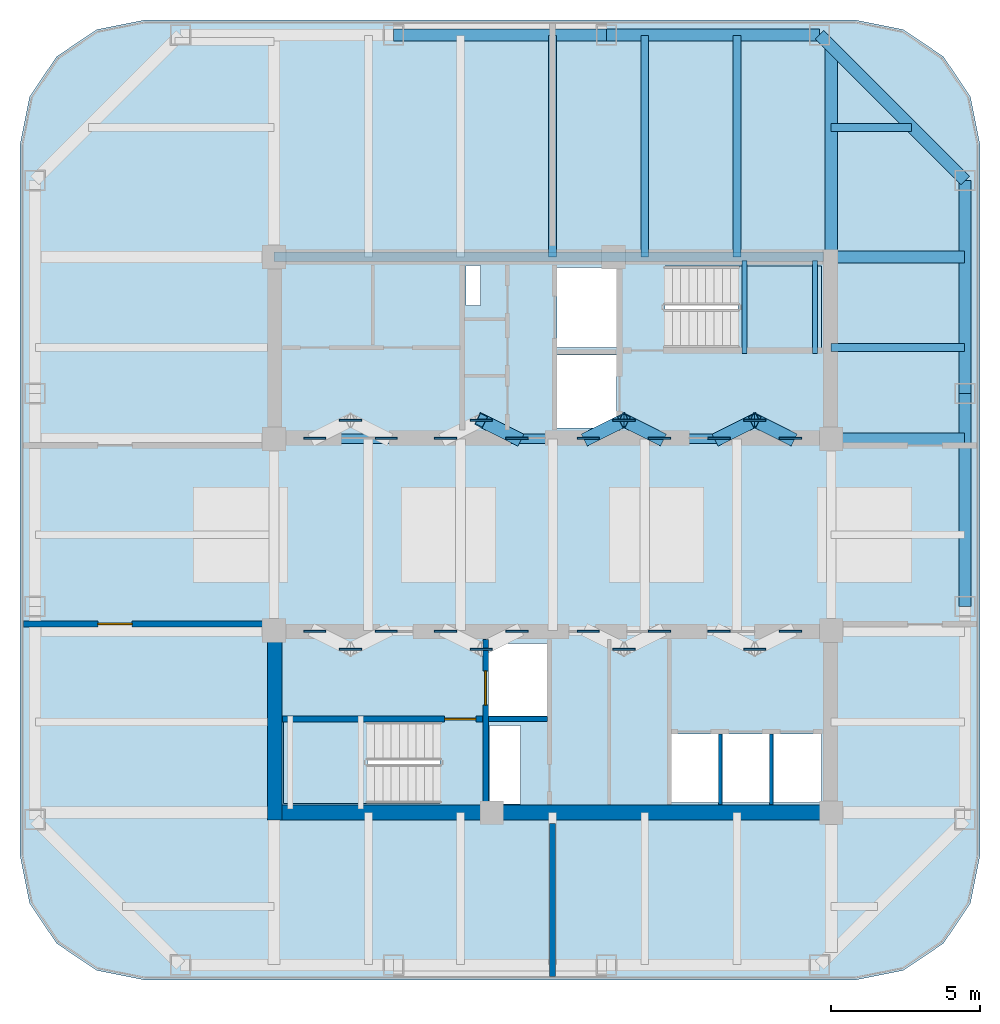
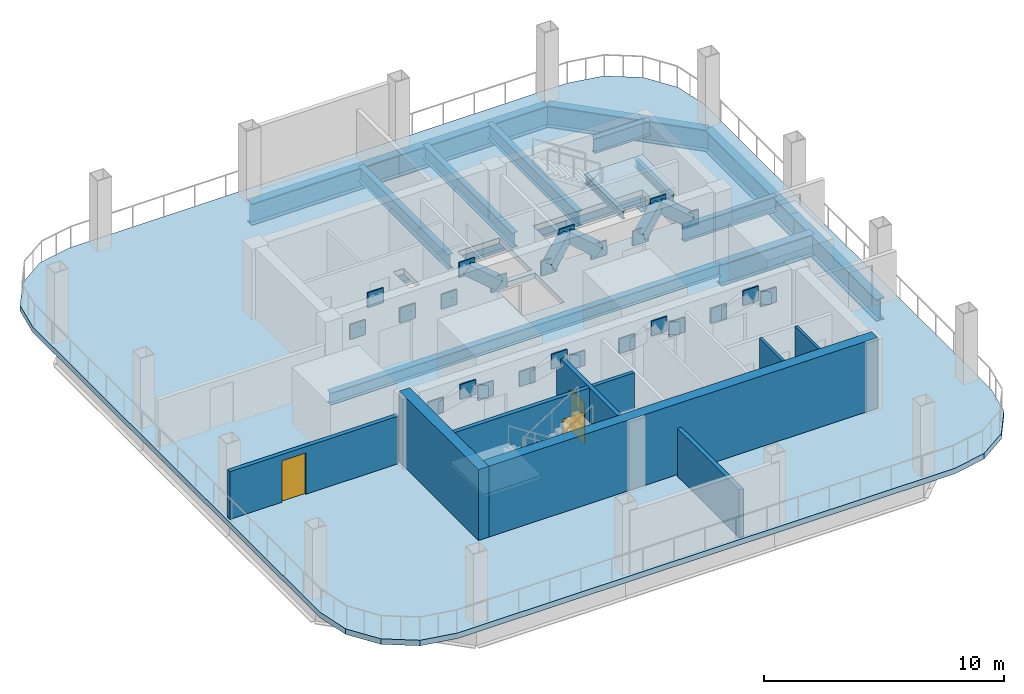
# One storey, part 2 of 9: 24 plates, 17 beams, 9 walls, 5 members, 3 doors, 3 slabs, 3 openings, 2 elements without a shape of their own.
"""IFC4 building model written with IfcOpenShell, lengths in metres."""

from ifc_helpers import new_model, si_unit, direction, frame, frame_2d, origin, origin_2d, place, context, subcontext, project, spatial, polyline, rectangle, hollow_rectangle, i_section, outline, extrude, material, layer, layer_set, material_profile, profile_set, type_object, element, fill, aggregate, save


model = new_model("IFC4")

# Units and contexts
model_context = context("Model", 3, precision=1e-05, world=origin(), true_north=direction((0.0, 1.0)))
body_context = subcontext(model_context, "Body", "Model", "MODEL_VIEW")
ifc_project = project(units=[si_unit("LENGTHUNIT", "METRE"), si_unit("AREAUNIT", "SQUARE_METRE"), si_unit("VOLUMEUNIT", "CUBIC_METRE"), si_unit("PLANEANGLEUNIT", "RADIAN"), si_unit("MASSUNIT", "GRAM", prefix="KILO")], contexts=[model_context])

# Site, building, storey
site_placement = place(None, origin())
site = spatial("IfcSite", under=ifc_project, at=site_placement, CompositionType="ELEMENT")
building_placement = place(site_placement, origin())
building = spatial("IfcBuilding", under=site, at=building_placement, Name="Qhalaya Broadcast Tower", CompositionType="ELEMENT")
storey_placement = place(building_placement, frame((0.0, 0.0, 191.550048828125)))
storey = spatial("IfcBuildingStorey", under=building, at=storey_placement, Name="L56", CompositionType="ELEMENT", Elevation=191.550048828125)

# Beams
ifc_material_1 = material(Name="Structural Steel ASTM A992 Grade 50", Category="steel")
ifc_material_profile_1 = material_profile(ifc_material_1, i_section(OverallWidth=0.323974609375, OverallDepth=0.612060546875, WebThickness=0.0126953125, FlangeThickness=0.01904296875, at=origin_2d()), Name="W24X104")
ifc_profile_set_1 = profile_set([ifc_material_profile_1], Name="Structural Steel ASTM A992 Grade 50")
beam_type_1 = type_object("IfcBeamType", Name="Core Frame Tie Beam B04", PredefinedType="BEAM", material=ifc_profile_set_1)
beam_1_placement = place(storey_placement, frame((-9.375, 3.824951171875, -0.5859375), z_axis=(1.0, 0.0, 0.0), x_axis=(0.0, 1.0, 0.0)))
element("IfcBeam", 1, at=beam_1_placement, inside=storey, type_object=beam_type_1, Name="L56 B04 L56-CCN1", PredefinedType="BEAM", context=body_context, shape_type="SweptSolid", body=[
    extrude(i_section(OverallWidth=0.323974609375, OverallDepth=0.612060546875, WebThickness=0.0126953125, FlangeThickness=0.01904296875, at=origin_2d()), origin(), (0.0, 0.0, 1.0), 18.75),
])
beam_2_placement = place(storey_placement, frame((-9.375, 9.949951171875, -0.5859375), z_axis=(1.0, 0.0, 0.0), x_axis=(0.0, 1.0, 0.0)))
element("IfcBeam", 2, at=beam_2_placement, inside=storey, type_object=beam_type_1, Name="L56 B04 L56-CCN3", PredefinedType="BEAM", context=body_context, shape_type="SweptSolid", body=[
    extrude(i_section(OverallWidth=0.323974609375, OverallDepth=0.612060546875, WebThickness=0.0126953125, FlangeThickness=0.01904296875, at=origin_2d()), origin(), (0.0, 0.0, 1.0), 18.4951171875),
])
ifc_material_profile_2 = material_profile(ifc_material_1, i_section(OverallWidth=0.26708984375, OverallDepth=0.761962890625, WebThickness=0.014404296875, FlangeThickness=0.021484375, at=origin_2d()), Name="W30X116")
ifc_profile_set_2 = profile_set([ifc_material_profile_2], Name="Structural Steel ASTM A992 Grade 50")
beam_type_2 = type_object("IfcBeamType", Name="Plant & Server Floor Beam B02", PredefinedType="BEAM", material=ifc_profile_set_2)
for number, where, z_axis, x_axis, name in (
    (3, (0.0, 9.949951171875, -0.6611328125), (0.0, 1.0, 0.0), (-1.0, 0.0, 0.0), "L56 B02 L56-JNN3-1"),
    (4, (3.10009765625, 9.949951171875, -0.6611328125), (0.0, 1.0, 0.0), (-1.0, 0.0, 0.0), "L56 B02 L56-JNN4-1"),
    (5, (6.199951171875, 9.949951171875, -0.6611328125), (0.0, 1.0, 0.0), (-1.0, 0.0, 0.0), "L56 B02 L56-JNN5-1"),
):
    element("IfcBeam", number, at=place(storey_placement, frame(where, z_axis=z_axis, x_axis=x_axis)), inside=storey, type_object=beam_type_2, Name=name, PredefinedType="BEAM", context=body_context, shape_type="SweptSolid", body=[
        extrude(i_section(OverallWidth=0.26708984375, OverallDepth=0.761962890625, WebThickness=0.014404296875, FlangeThickness=0.021484375, at=origin_2d()), origin(), (0.0, 0.0, 1.0), 7.449951171875),
    ])
beam_3_placement = place(storey_placement, frame((9.375, 6.89990234375, -0.6611328125), z_axis=(1.0, 0.0, 0.0), x_axis=(0.0, 1.0, 0.0)))
element("IfcBeam", 6, at=beam_3_placement, inside=storey, type_object=beam_type_2, Name="L56 B02 L56-JWE5E-1", PredefinedType="BEAM", context=body_context, shape_type="SweptSolid", body=[
    extrude(i_section(OverallWidth=0.26708984375, OverallDepth=0.761962890625, WebThickness=0.014404296875, FlangeThickness=0.021484375, at=origin_2d()), origin(), (0.0, 0.0, 1.0), 4.485107421875),
])
beam_4_placement = place(storey_placement, frame((9.375, 14.300048828125, -0.6611328125), z_axis=(1.0, 0.0, 0.0), x_axis=(0.0, 1.0, 0.0)))
element("IfcBeam", 7, at=beam_4_placement, inside=storey, type_object=beam_type_2, Name="L56 B02 L56-JWE6E-1", PredefinedType="BEAM", context=body_context, shape_type="SweptSolid", body=[
    extrude(i_section(OverallWidth=0.26708984375, OverallDepth=0.761962890625, WebThickness=0.014404296875, FlangeThickness=0.021484375, at=origin_2d()), origin(), (0.0, 0.0, 1.0), 2.69677734375),
])
ifc_material_profile_3 = material_profile(ifc_material_1, i_section(OverallWidth=0.404052734375, OverallDepth=1.117919921875, WebThickness=0.026123046875, FlangeThickness=0.044921875, at=origin_2d()), Name="W44X335")
ifc_profile_set_3 = profile_set([ifc_material_profile_3], Name="Structural Steel ASTM A992 Grade 50")
beam_type_3 = type_object("IfcBeamType", Name="Podium Long-Span Primary Girder PG1", PredefinedType="USERDEFINED", material=ifc_profile_set_3)
beam_5_placement = place(storey_placement, frame((13.8798828125, -1.813232421875, -0.839111328125), z_axis=(0.0, 1.0, 0.0), x_axis=(-1.0, 0.0, 0.0)))
element("IfcBeam", 8, at=beam_5_placement, inside=storey, type_object=beam_type_3, Name="L56 PG1 L56-SPR-06", ObjectType="GIRDER", PredefinedType="USERDEFINED", context=body_context, shape_type="SweptSolid", body=[
    extrude(i_section(OverallWidth=0.404052734375, OverallDepth=1.117919921875, WebThickness=0.026123046875, FlangeThickness=0.044921875, at=origin_2d()), origin(), (0.0, 0.0, 1.0), 7.16650390625),
])
beam_6_placement = place(storey_placement, frame((13.8798828125, 5.353271484375, -0.839111328125), z_axis=(0.0, 1.0, 0.0), x_axis=(-1.0, 0.0, 0.0)))
element("IfcBeam", 9, at=beam_6_placement, inside=storey, type_object=beam_type_3, Name="L56 PG1 L56-SPR-07", ObjectType="GIRDER", PredefinedType="USERDEFINED", context=body_context, shape_type="SweptSolid", body=[
    extrude(i_section(OverallWidth=0.404052734375, OverallDepth=1.117919921875, WebThickness=0.026123046875, FlangeThickness=0.044921875, at=origin_2d()), origin(), (0.0, 0.0, 1.0), 7.166748046875),
])
beam_7_placement = place(storey_placement, frame((13.8798828125, 12.52001953125, -0.839111328125), z_axis=(-0.707106781187, 0.707106781187, 0.0), x_axis=(-0.707106781187, -0.707106781187, 0.0)))
element("IfcBeam", 10, at=beam_7_placement, inside=storey, type_object=beam_type_3, Name="L56 PG1 L56-SPR-08", ObjectType="GIRDER", PredefinedType="USERDEFINED", context=body_context, shape_type="SweptSolid", body=[
    extrude(i_section(OverallWidth=0.404052734375, OverallDepth=1.117919921875, WebThickness=0.026123046875, FlangeThickness=0.044921875, at=origin_2d()), origin(), (0.0, 0.0, 1.0), 6.929443359375),
])
beam_8_placement = place(storey_placement, frame((8.97998046875, 17.419921875, -0.839111328125), z_axis=(-1.0, 0.0, 0.0), x_axis=(0.0, -1.0, 0.0)))
element("IfcBeam", 11, at=beam_8_placement, inside=storey, type_object=beam_type_3, Name="L56 PG1 L56-SPR-09", ObjectType="GIRDER", PredefinedType="USERDEFINED", context=body_context, shape_type="SweptSolid", body=[
    extrude(i_section(OverallWidth=0.404052734375, OverallDepth=1.117919921875, WebThickness=0.026123046875, FlangeThickness=0.044921875, at=origin_2d()), origin(), (0.0, 0.0, 1.0), 7.166748046875),
])
beam_9_placement = place(storey_placement, frame((1.813232421875, 17.419921875, -0.839111328125), z_axis=(-1.0, 0.0, 0.0), x_axis=(0.0, -1.0, 0.0)))
element("IfcBeam", 12, at=beam_9_placement, inside=storey, type_object=beam_type_3, Name="L56 PG1 L56-SPR-10", ObjectType="GIRDER", PredefinedType="USERDEFINED", context=body_context, shape_type="SweptSolid", body=[
    extrude(i_section(OverallWidth=0.404052734375, OverallDepth=1.117919921875, WebThickness=0.026123046875, FlangeThickness=0.044921875, at=origin_2d()), origin(), (0.0, 0.0, 1.0), 7.16650390625),
])
beam_10_placement = place(storey_placement, frame((9.375, 9.949951171875, -0.839111328125), z_axis=(0.0, 1.0, 0.0), x_axis=(-1.0, 0.0, 0.0)))
element("IfcBeam", 13, at=beam_10_placement, inside=storey, type_object=beam_type_3, Name="L56 PG1 L56-PGXN2-1", ObjectType="GIRDER", PredefinedType="USERDEFINED", context=body_context, shape_type="SweptSolid", body=[
    extrude(i_section(OverallWidth=0.404052734375, OverallDepth=1.117919921875, WebThickness=0.026123046875, FlangeThickness=0.044921875, at=origin_2d()), origin(), (0.0, 0.0, 1.0), 7.046630859375),
])
for number, where, z_axis, x_axis, name in (
    (14, (9.375, 3.824951171875, -0.839111328125), (1.0, 0.0, 0.0), (0.0, 1.0, 0.0), "L56 PG1 L56-PGYE3-1"),
    (15, (9.375, 9.949951171875, -0.839111328125), (1.0, 0.0, 0.0), (0.0, 1.0, 0.0), "L56 PG1 L56-PGYE4-1"),
):
    element("IfcBeam", number, at=place(storey_placement, frame(where, z_axis=z_axis, x_axis=x_axis)), inside=storey, type_object=beam_type_3, Name=name, ObjectType="GIRDER", PredefinedType="USERDEFINED", context=body_context, shape_type="SweptSolid", body=[
        extrude(i_section(OverallWidth=0.404052734375, OverallDepth=1.117919921875, WebThickness=0.026123046875, FlangeThickness=0.044921875, at=origin_2d()), origin(), (0.0, 0.0, 1.0), 4.485107421875),
    ])
ifc_material_profile_4 = material_profile(ifc_material_1, i_section(OverallWidth=0.177978515625, OverallDepth=0.406005859375, WebThickness=0.0078125, FlangeThickness=0.0126953125, at=origin_2d()), Name="W16X40")
ifc_profile_set_4 = profile_set([ifc_material_profile_4], Name="Structural Steel ASTM A992 Grade 50")
beam_type_4 = type_object("IfcBeamType", Name="Upper Perimeter Spandrel Beam SP2", PredefinedType="SPANDREL", material=ifc_profile_set_4)
for number, where, z_axis, x_axis, name in (
    (16, (6.455078125, 6.699951171875, 1.39697265625), (0.0, 1.0, 0.0), (-1.0, 0.0, 0.0), "L56 ST-1 Half-Landing Bearer Beam 1"),
    (17, (8.830078125, 6.699951171875, 1.39697265625), (0.0, 1.0, 0.0), (-1.0, 0.0, 0.0), "L56 ST-1 Half-Landing Bearer Beam 2"),
):
    element("IfcBeam", number, at=place(storey_placement, frame(where, z_axis=z_axis, x_axis=x_axis)), inside=storey, type_object=beam_type_4, Name=name, PredefinedType="SPANDREL", context=body_context, shape_type="SweptSolid", body=[
        extrude(i_section(OverallWidth=0.177978515625, OverallDepth=0.406005859375, WebThickness=0.0078125, FlangeThickness=0.0126953125, at=origin_2d()), origin(), (0.0, 0.0, 1.0), 3.1201171875),
    ])

# Members
ifc_material_2 = material(Name="Structural Steel ASTM A572 Grade 50", Category="steel")
ifc_material_profile_5 = material_profile(ifc_material_2, hollow_rectangle(XDim=0.449951171875, YDim=0.550048828125, WallThickness=0.031982421875, at=origin_2d()), Name="BOX 450x550x32")
ifc_profile_set_5 = profile_set([ifc_material_profile_5], Name="Structural Steel ASTM A572 Grade 50")
member_type = type_object("IfcMemberType", Name="Wind-Turbine Slot Portal Strut ST1", PredefinedType="STRUT", material=ifc_profile_set_5)
for number, where, z_axis, x_axis, name in (
    (18, (-1.199951171875, 3.85009765625, 2.3798828125), (-0.758089174759, 0.378967467423, 0.530739542288), (-0.447140799424, -0.894463585335, 0.0), "L56 Turbine Slot Portal Strut N2B"),
    (19, (1.199951171875, 3.85009765625, 2.3798828125), (0.758089174759, 0.378967467423, 0.530739542288), (-0.447140799424, 0.894463585335, 0.0), "L56 Turbine Slot Portal Strut N3A"),
):
    element("IfcMember", number, at=place(storey_placement, frame(where, z_axis=z_axis, x_axis=x_axis)), inside=storey, type_object=member_type, Name=name, PredefinedType="STRUT", context=body_context, shape_type="SweptSolid", body=[
        extrude(hollow_rectangle(XDim=0.449951171875, YDim=0.550048828125, WallThickness=0.031982421875, at=origin_2d()), origin(), (0.0, 0.0, 1.0), 1.582763671875),
    ])
member_placement = place(storey_placement, frame((3.60009765625, 3.85009765625, 2.3798828125), z_axis=(-0.758154761614, 0.378923158927, 0.530677488754), x_axis=(-0.447068024083, -0.894499961902, 0.0)))
element("IfcMember", 20, at=member_placement, inside=storey, type_object=member_type, Name="L56 Turbine Slot Portal Strut N3B", PredefinedType="STRUT", context=body_context, shape_type="SweptSolid", body=[
    extrude(hollow_rectangle(XDim=0.449951171875, YDim=0.550048828125, WallThickness=0.031982421875, at=origin_2d()), origin(), (0.0, 0.0, 1.0), 1.5830078125),
])
for number, where, z_axis, x_axis, name in (
    (21, (5.60009765625, 3.85009765625, 2.3798828125), (0.758089174759, 0.378967467423, 0.530739542288), (-0.447140799424, 0.894463585335, 0.0), "L56 Turbine Slot Portal Strut N4A"),
    (22, (8.0, 3.85009765625, 2.3798828125), (-0.758089174759, 0.378967467423, 0.530739542288), (-0.447140799424, -0.894463585335, 0.0), "L56 Turbine Slot Portal Strut N4B"),
):
    element("IfcMember", number, at=place(storey_placement, frame(where, z_axis=z_axis, x_axis=x_axis)), inside=storey, type_object=member_type, Name=name, PredefinedType="STRUT", context=body_context, shape_type="SweptSolid", body=[
        extrude(hollow_rectangle(XDim=0.449951171875, YDim=0.550048828125, WallThickness=0.031982421875, at=origin_2d()), origin(), (0.0, 0.0, 1.0), 1.582763671875),
    ])

# Plates
ifc_layer_1 = layer(ifc_material_2, 0.06005859375, Name="Structural Steel ASTM A572 Grade 50")
ifc_layer_set_1 = layer_set([ifc_layer_1], Name="Structural Steel ASTM A572 Grade 50")
plate_type = type_object("IfcPlateType", Name="Outrigger Core Embed Gusset Plate NP-02", PredefinedType="USERDEFINED", material=ifc_layer_set_1)
for number, where, z_axis, x_axis, name in (
    (23, (-8.0, -2.64990234375, 2.0048828125), (0.0, 0.0, 1.0), (1.0, 0.0, 0.0), "L56 Portal Strut Core Cast-In Embed Plate S1-BA"),
    (24, (-5.60009765625, -2.64990234375, 2.0048828125), (0.0, 0.0, 1.0), (1.0, 0.0, 0.0), "L56 Portal Strut Core Cast-In Embed Plate S1-BB"),
    (25, (-6.800048828125, -3.25, 2.844970703125), (0.0, 0.0, 1.0), (1.0, 0.0, 0.0), "L56 Portal Strut Core Cast-In Embed Plate S1-TP"),
    (26, (-8.0, 3.85009765625, 2.0048828125), (0.0, 0.0, 1.0), (1.0, 0.0, 0.0), "L56 Portal Strut Core Cast-In Embed Plate N1-BA"),
    (27, (-5.60009765625, 3.85009765625, 2.0048828125), (0.0, 0.0, 1.0), (1.0, 0.0, 0.0), "L56 Portal Strut Core Cast-In Embed Plate N1-BB"),
    (28, (-6.800048828125, 4.449951171875, 2.844970703125), (0.0, 0.0, 1.0), (1.0, 0.0, 0.0), "L56 Portal Strut Core Cast-In Embed Plate N1-TP"),
    (29, (-3.60009765625, -2.64990234375, 2.0048828125), (0.0, 0.0, 1.0), (1.0, 0.0, 0.0), "L56 Portal Strut Core Cast-In Embed Plate S2-BA"),
    (30, (-1.199951171875, -2.64990234375, 2.0048828125), (0.0, 0.0, 1.0), (1.0, 0.0, 0.0), "L56 Portal Strut Core Cast-In Embed Plate S2-BB"),
    (31, (-2.39990234375, -3.25, 2.844970703125), (0.0, 0.0, 1.0), (1.0, 0.0, 0.0), "L56 Portal Strut Core Cast-In Embed Plate S2-TP"),
    (32, (-3.60009765625, 3.85009765625, 2.0048828125), (0.0, 0.0, 1.0), (1.0, 0.0, 0.0), "L56 Portal Strut Core Cast-In Embed Plate N2-BA"),
    (33, (-1.199951171875, 3.85009765625, 2.0048828125), (0.0, 0.0, 1.0), (1.0, 0.0, 0.0), "L56 Portal Strut Core Cast-In Embed Plate N2-BB"),
    (34, (-2.39990234375, 4.449951171875, 2.844970703125), (0.0, 0.0, 1.0), (1.0, 0.0, 0.0), "L56 Portal Strut Core Cast-In Embed Plate N2-TP"),
    (35, (1.199951171875, -2.64990234375, 2.0048828125), (0.0, 0.0, 1.0), (1.0, 0.0, 0.0), "L56 Portal Strut Core Cast-In Embed Plate S3-BA"),
    (36, (3.60009765625, -2.64990234375, 2.0048828125), (0.0, 0.0, 1.0), (1.0, 0.0, 0.0), "L56 Portal Strut Core Cast-In Embed Plate S3-BB"),
    (37, (2.39990234375, -3.25, 2.844970703125), (0.0, 0.0, 1.0), (1.0, 0.0, 0.0), "L56 Portal Strut Core Cast-In Embed Plate S3-TP"),
    (38, (1.199951171875, 3.85009765625, 2.0048828125), (0.0, 0.0, 1.0), (1.0, 0.0, 0.0), "L56 Portal Strut Core Cast-In Embed Plate N3-BA"),
    (39, (3.60009765625, 3.85009765625, 2.0048828125), (0.0, 0.0, 1.0), (1.0, 0.0, 0.0), "L56 Portal Strut Core Cast-In Embed Plate N3-BB"),
    (40, (2.39990234375, 4.449951171875, 2.844970703125), (0.0, 0.0, 1.0), (1.0, 0.0, 0.0), "L56 Portal Strut Core Cast-In Embed Plate N3-TP"),
    (41, (5.60009765625, -2.64990234375, 2.0048828125), (0.0, 0.0, 1.0), (1.0, 0.0, 0.0), "L56 Portal Strut Core Cast-In Embed Plate S4-BA"),
    (42, (8.0, -2.64990234375, 2.0048828125), (0.0, 0.0, 1.0), (1.0, 0.0, 0.0), "L56 Portal Strut Core Cast-In Embed Plate S4-BB"),
    (43, (6.800048828125, -3.25, 2.844970703125), (0.0, 0.0, 1.0), (1.0, 0.0, 0.0), "L56 Portal Strut Core Cast-In Embed Plate S4-TP"),
    (44, (5.60009765625, 3.85009765625, 2.0048828125), (0.0, 0.0, 1.0), (1.0, 0.0, 0.0), "L56 Portal Strut Core Cast-In Embed Plate N4-BA"),
    (45, (8.0, 3.85009765625, 2.0048828125), (0.0, 0.0, 1.0), (1.0, 0.0, 0.0), "L56 Portal Strut Core Cast-In Embed Plate N4-BB"),
    (46, (6.800048828125, 4.449951171875, 2.844970703125), (0.0, 0.0, 1.0), (1.0, 0.0, 0.0), "L56 Portal Strut Core Cast-In Embed Plate N4-TP"),
):
    element("IfcPlate", number, at=place(storey_placement, frame(where, z_axis=z_axis, x_axis=x_axis)), inside=storey, type_object=plate_type, Name=name, ObjectType="GUSSET_PLATE", PredefinedType="USERDEFINED", context=body_context, shape_type="SweptSolid", body=[
        extrude(rectangle(XDim=0.75, YDim=0.06005859375, at=origin_2d()), origin(), (0.0, 0.0, 1.0), 0.75),
    ])

# Slab
ifc_material_3 = material(Name="Concrete C40/50", Category="concrete")
ifc_layer_2 = layer(ifc_material_3, 0.280029296875, Name="Concrete C40/50")
ifc_layer_set_2 = layer_set([ifc_layer_2], Name="Concrete C40/50")
slab_type_1 = type_object("IfcSlabType", Name="Plant & Refuge Heavy Duty Floor Slab 280", PredefinedType="FLOOR", material=ifc_layer_set_2)
slab_1_placement = place(storey_placement, frame((0.0, 0.0, -0.280029296875)))
element("IfcSlab", 47, at=slab_1_placement, inside=storey, type_object=slab_type_1, Name="L56 Main Structural Floor Slab", PredefinedType="FLOOR", context=body_context, shape_type="SweptSolid", body=[
    extrude(outline(polyline([(10.179931640625, -14.3798828125), (11.787353515625, -14.060302734375), (13.14990234375, -13.14990234375), (14.060302734375, -11.787353515625), (14.3798828125, -10.179931640625), (14.3798828125, 13.719970703125), (14.060302734375, 15.327392578125), (13.14990234375, 16.689697265625), (11.787353515625, 17.600341796875), (10.179931640625, 17.919921875), (-13.719970703125, 17.919921875), (-15.327392578125, 17.600341796875), (-16.689697265625, 16.689697265625), (-17.600341796875, 15.327392578125), (-17.919921875, 13.719970703125), (-17.919921875, -10.179931640625), (-17.600341796875, -11.787353515625), (-16.689697265625, -13.14990234375), (-15.327392578125, -14.060302734375), (-13.719970703125, -14.3798828125), (10.179931640625, -14.3798828125)]), holes=[polyline([(3.784912109375, 9.639892578125), (9.050048828125, 9.639892578125), (9.050048828125, 6.8798828125), (3.784912109375, 6.8798828125), (3.784912109375, 9.639892578125)]), polyline([(-3.784912109375, -8.43994140625), (-9.050048828125, -8.43994140625), (-9.050048828125, -5.679931640625), (-3.784912109375, -5.679931640625), (-3.784912109375, -8.43994140625)]), polyline([(0.14990234375, 6.64990234375), (2.14990234375, 6.64990234375), (2.14990234375, 4.199951171875), (0.14990234375, 4.199951171875), (0.14990234375, 6.64990234375)]), polyline([(0.14990234375, 9.60009765625), (2.14990234375, 9.60009765625), (2.14990234375, 6.89990234375), (0.14990234375, 6.89990234375), (0.14990234375, 9.60009765625)]), polyline([(-2.14990234375, -3.050048828125), (-0.14990234375, -3.050048828125), (-0.14990234375, -5.5), (-2.14990234375, -5.5), (-2.14990234375, -3.050048828125)]), polyline([(4.0, -6.10009765625), (5.60009765625, -6.10009765625), (5.60009765625, -8.39990234375), (4.0, -8.39990234375), (4.0, -6.10009765625)]), polyline([(5.719970703125, -6.10009765625), (7.320068359375, -6.10009765625), (7.320068359375, -8.39990234375), (5.719970703125, -8.39990234375), (5.719970703125, -6.10009765625)]), polyline([(7.43994140625, -6.10009765625), (9.0400390625, -6.10009765625), (9.0400390625, -8.39990234375), (7.43994140625, -8.39990234375), (7.43994140625, -6.10009765625)]), polyline([(-2.919921875, 9.659912109375), (-2.419921875, 9.659912109375), (-2.419921875, 8.320068359375), (-2.919921875, 8.320068359375), (-2.919921875, 9.659912109375)]), polyline([(-2.1201171875, -5.820068359375), (-1.080078125, -5.820068359375), (-1.080078125, -8.4599609375), (-2.1201171875, -8.4599609375), (-2.1201171875, -5.820068359375)])]), origin(), (0.0, 0.0, 1.0), 0.280029296875),
])

# Stair, slab
stair_type = type_object("IfcStairType", Name="Protected Dogleg Core Stair 3600", PredefinedType="TWO_STRAIGHT_RUN_STAIR", material=ifc_material_3)
stair_1_placement = place(storey_placement, origin())
stair_1 = element("IfcStair", 48, at=stair_1_placement, inside=storey, type_object=stair_type, Name="L56 North Core Exit Stair ST-1", PredefinedType="TWO_STRAIGHT_RUN_STAIR")
ifc_layer_3 = layer(ifc_material_3, 0.199951171875, Name="Concrete C40/50")
ifc_layer_set_3 = layer_set([ifc_layer_3], Name="Concrete C40/50")
slab_type_2 = type_object("IfcSlabType", Name="Stair & Ramp Half-Landing Slab 200", PredefinedType="LANDING", material=ifc_layer_set_3)
slab_2_placement = place(storey_placement, frame((0.0, 0.0, 1.599853515625)))
slab_2 = element("IfcSlab", 49, at=slab_2_placement, type_object=slab_type_2, Name="ST-1 landing 1", PredefinedType="LANDING", context=body_context, shape_type="SweptSolid", body=[
    extrude(outline(polyline([(6.235107421875, 6.8798828125), (9.050048828125, 6.8798828125), (9.050048828125, 9.639892578125), (6.235107421875, 9.639892578125), (6.235107421875, 6.8798828125)])), origin(), (0.0, 0.0, 1.0), 0.2001953125),
])
aggregate(stair_1, [slab_2])

stair_2_placement = place(storey_placement, origin())
stair_2 = element("IfcStair", 50, at=stair_2_placement, inside=storey, type_object=stair_type, Name="L56 South Core Exit Stair ST-2", PredefinedType="TWO_STRAIGHT_RUN_STAIR")
slab_3_placement = place(storey_placement, frame((0.0, 0.0, 1.599853515625)))
slab_3 = element("IfcSlab", 51, at=slab_3_placement, type_object=slab_type_2, Name="ST-2 landing 1", PredefinedType="LANDING", context=body_context, shape_type="SweptSolid", body=[
    extrude(outline(polyline([(-6.235107421875, -5.679931640625), (-9.050048828125, -5.679931640625), (-9.050048828125, -8.43994140625), (-6.235107421875, -8.43994140625), (-6.235107421875, -5.679931640625)])), origin(), (0.0, 0.0, 1.0), 0.2001953125),
])
aggregate(stair_2, [slab_3])

# Wall, opening, door
ifc_material_4 = material(Name="Gypsum Acoustic Partition")
ifc_layer_4 = layer(ifc_material_4, 0.199951171875, Name="Gypsum Acoustic Partition")
ifc_layer_set_4 = layer_set([ifc_layer_4], Name="Gypsum Acoustic Partition")
wall_type_1 = type_object("IfcWallType", Name="Firefighting Lobby & Stair Enclosure Wall 200", PredefinedType="PARTITIONING", material=ifc_layer_set_4)
wall_1_placement = place(storey_placement, frame((-17.800048828125, -2.39990234375, 0.0), z_axis=(0.0, 0.0, 1.0), x_axis=(1.0, 0.0, 0.0)))
wall_1 = element("IfcWall", 52, at=wall_1_placement, inside=storey, type_object=wall_type_1, Name="L56 Partition Wall W-PL56SW", PredefinedType="PARTITIONING", context=body_context, shape_type="SweptSolid", body=[
    extrude(rectangle(XDim=8.090087890625, YDim=0.199951171875, at=frame_2d((4.044921875, 0.0))), origin(), (0.0, 0.0, 1.0), 2.419921875),
])
opening_1_placement = place(wall_1_placement, frame((2.4990234375, 0.0, 0.0)))
opening_1 = element("IfcOpeningElement", 53, at=opening_1_placement, cuts=wall_1, Name="Opening D05", PredefinedType="OPENING", context=body_context, shape_type="SweptSolid", body=[
    extrude(rectangle(XDim=1.14990234375, YDim=2.10009765625, at=frame_2d((0.574951171875, 1.050048828125))), frame((0.0, 0.112060546875, 0.0), z_axis=(0.0, -1.0, 0.0), x_axis=(1.0, 0.0, 0.0)), (0.0, 0.0, 1.0), 0.223876953125),
])
ifc_material_5 = material(Name="Fire-Rated Steel Door", Category="steel")
door_type_1 = type_object("IfcDoorType", Name="Refuge & Plant Room Fire Door D05", OperationType="NOTDEFINED", PredefinedType="DOOR", material=ifc_material_5)
door_1_placement = place(opening_1_placement, origin())
door_1 = element("IfcDoor", 54, at=door_1_placement, inside=storey, type_object=door_type_1, Name="L56 Door D-PL56SW", OperationType="SINGLE_SWING_LEFT", OverallHeight=2.10009765625, OverallWidth=1.14990234375, PredefinedType="DOOR", context=body_context, shape_type="SweptSolid", body=[
    extrude(rectangle(XDim=1.14990234375, YDim=2.10009765625, at=frame_2d((0.574951171875, 1.050048828125))), frame((0.0, 0.02490234375, 0.0), z_axis=(0.0, -1.0, 0.0), x_axis=(1.0, 0.0, 0.0)), (0.0, 0.0, 1.0), 0.050048828125),
])
fill(opening_1, door_1)

# Wall
wall_2_placement = place(storey_placement, frame((0.0, -14.260009765625, 0.0), z_axis=(0.0, 0.0, 1.0), x_axis=(0.0, 1.0, 0.0)))
element("IfcWall", 55, at=wall_2_placement, inside=storey, type_object=wall_type_1, Name="L56 Partition Wall W-PL56MS", PredefinedType="PARTITIONING", context=body_context, shape_type="SweptSolid", body=[
    extrude(rectangle(XDim=5.14990234375, YDim=0.199951171875, at=frame_2d((2.574951171875, 0.0))), origin(), (0.0, 0.0, 1.0), 2.43798828125),
])

# Wall, opening, door
ifc_material_6 = material(Name="Concrete C50/60", Category="concrete")
ifc_layer_5 = layer(ifc_material_6, 0.199951171875, Name="Concrete C50/60")
ifc_layer_set_5 = layer_set([ifc_layer_5], Name="Concrete C50/60")
wall_type_2 = type_object("IfcWallType", Name="Load-Bearing Stair Shaft Wall 200", PredefinedType="SHEAR", material=ifc_layer_set_5)
wall_3_placement = place(storey_placement, frame((-9.080078125, -5.60498046875, 0.0), z_axis=(0.0, 0.0, 1.0), x_axis=(1.0, 0.0, 0.0)))
wall_3 = element("IfcWall", 56, at=wall_3_placement, inside=storey, type_object=wall_type_2, Name="L56 Stair Core Shear Wall SCW-ST2", PredefinedType="SHEAR", context=body_context, shape_type="SweptSolid", body=[
    extrude(rectangle(XDim=6.719970703125, YDim=0.199951171875, at=frame_2d((3.35986328125, 0.0))), origin(), (0.0, 0.0, 1.0), 3.219970703125),
])
opening_2_placement = place(wall_3_placement, frame((5.449951171875, 0.0, 0.0)))
opening_2 = element("IfcOpeningElement", 57, at=opening_2_placement, cuts=wall_3, Name="Opening D03", PredefinedType="OPENING", context=body_context, shape_type="SweptSolid", body=[
    extrude(rectangle(XDim=1.050048828125, YDim=2.080078125, at=frame_2d((0.52490234375, 1.0400390625))), frame((0.0, 0.112060546875, 0.0), z_axis=(0.0, -1.0, 0.0), x_axis=(1.0, 0.0, 0.0)), (0.0, 0.0, 1.0), 0.223876953125),
])
door_type_2 = type_object("IfcDoorType", Name="Core Stair Protected Fire Door D03", OperationType="NOTDEFINED", PredefinedType="DOOR", material=ifc_material_5)
door_2_placement = place(opening_2_placement, origin())
door_2 = element("IfcDoor", 58, at=door_2_placement, inside=storey, type_object=door_type_2, Name="L56 Door D-SST2", OperationType="SINGLE_SWING_RIGHT", OverallHeight=2.080078125, OverallWidth=1.050048828125, PredefinedType="DOOR", context=body_context, shape_type="SweptSolid", body=[
    extrude(rectangle(XDim=1.050048828125, YDim=2.080078125, at=frame_2d((0.52490234375, 1.0400390625))), frame((0.0, 0.02490234375, 0.0), z_axis=(0.0, -1.0, 0.0), x_axis=(1.0, 0.0, 0.0)), (0.0, 0.0, 1.0), 0.050048828125),
])
fill(opening_2, door_2)

wall_4_placement = place(storey_placement, frame((-2.25, -8.47998046875, 0.0), z_axis=(0.0, 0.0, 1.0), x_axis=(0.0, 1.0, 0.0)))
wall_4 = element("IfcWall", 59, at=wall_4_placement, inside=storey, type_object=wall_type_2, Name="L56 Stair Core Shear Wall SCW-FF", PredefinedType="SHEAR", context=body_context, shape_type="SweptSolid", body=[
    extrude(rectangle(XDim=5.56005859375, YDim=0.199951171875, at=frame_2d((2.780029296875, 0.0))), origin(), (0.0, 0.0, 1.0), 3.219970703125),
])
opening_3_placement = place(wall_4_placement, frame((3.35009765625, 0.0, 0.0)))
opening_3 = element("IfcOpeningElement", 60, at=opening_3_placement, cuts=wall_4, Name="Opening LD2", PredefinedType="OPENING", context=body_context, shape_type="SweptSolid", body=[
    extrude(rectangle(XDim=1.14990234375, YDim=2.080078125, at=frame_2d((0.574951171875, 1.0400390625))), frame((0.0, 0.112060546875, 0.0), z_axis=(0.0, -1.0, 0.0), x_axis=(1.0, 0.0, 0.0)), (0.0, 0.0, 1.0), 0.223876953125),
])
ifc_material_7 = material(Name="Brushed Stainless Steel Lift Door", Category="steel")
door_type_3 = type_object("IfcDoorType", Name="Firefighting Lift Sliding Landing Door LD2", OperationType="DOUBLE_DOOR_SLIDING", PredefinedType="DOOR", material=ifc_material_7)
door_3_placement = place(opening_3_placement, origin())
door_3 = element("IfcDoor", 61, at=door_3_placement, inside=storey, type_object=door_type_3, Name="L56 Door LD-FF2", OperationType="DOUBLE_DOOR_SLIDING", OverallHeight=2.080078125, OverallWidth=1.14990234375, PredefinedType="DOOR", context=body_context, shape_type="SweptSolid", body=[
    extrude(rectangle(XDim=1.14990234375, YDim=2.080078125, at=frame_2d((0.574951171875, 1.0400390625))), frame((0.0, 0.02490234375, 0.0), z_axis=(0.0, -1.0, 0.0), x_axis=(1.0, 0.0, 0.0)), (0.0, 0.0, 1.0), 0.050048828125),
])
fill(opening_3, door_3)

# Walls
ifc_layer_6 = layer(ifc_material_6, 0.5, Name="Concrete C50/60")
ifc_layer_set_6 = layer_set([ifc_layer_6], Name="Concrete C50/60")
wall_type_3 = type_object("IfcWallType", Name="Mid Split-Core Shear Wall 500", PredefinedType="SHEAR", material=ifc_layer_set_6)
wall_5_placement = place(storey_placement, frame((-9.60009765625, -8.75, 0.0), z_axis=(0.0, 0.0, 1.0), x_axis=(1.0, 0.0, 0.0)))
element("IfcWall", 62, at=wall_5_placement, inside=storey, type_object=wall_type_3, Name="L56 Split-Core Shear Wall CW-SS", PredefinedType="SHEAR", context=body_context, shape_type="SweptSolid", body=[
    extrude(rectangle(XDim=19.2001953125, YDim=0.5, at=frame_2d((9.60009765625, 0.0))), origin(), (0.0, 0.0, 1.0), 3.599853515625),
])
wall_6_placement = place(storey_placement, frame((-9.35009765625, -9.0, 0.0), z_axis=(0.0, 0.0, 1.0), x_axis=(0.0, 1.0, 0.0)))
element("IfcWall", 63, at=wall_6_placement, inside=storey, type_object=wall_type_3, Name="L56 Split-Core Shear Wall CW-SW", PredefinedType="SHEAR", context=body_context, shape_type="SweptSolid", body=[
    extrude(rectangle(XDim=6.60009765625, YDim=0.5, at=frame_2d((3.300048828125, 0.0))), origin(), (0.0, 0.0, 1.0), 3.599853515625),
])
ifc_layer_7 = layer(ifc_material_4, 0.1201171875, Name="Gypsum Acoustic Partition")
ifc_layer_set_7 = layer_set([ifc_layer_7], Name="Gypsum Acoustic Partition")
wall_type_4 = type_object("IfcWallType", Name="Office, Booth & Sanitary Partition 120", PredefinedType="PARTITIONING", material=ifc_layer_set_7)
for number, where, z_axis, x_axis, name in (
    (64, (5.639892578125, -8.47998046875, 0.0), (0.0, 0.0, 1.0), (0.0, 1.0, 0.0), "L56 Partition Wall SCW-HD6"),
    (65, (7.360107421875, -8.47998046875, 0.0), (0.0, 0.0, 1.0), (0.0, 1.0, 0.0), "L56 Partition Wall SCW-HD7"),
):
    element("IfcWall", number, at=place(storey_placement, frame(where, z_axis=z_axis, x_axis=x_axis)), inside=storey, type_object=wall_type_4, Name=name, PredefinedType="PARTITIONING", context=body_context, shape_type="SweptSolid", body=[
        extrude(rectangle(XDim=2.3798828125, YDim=0.1201171875, at=frame_2d((1.18994140625, 0.0))), origin(), (0.0, 0.0, 1.0), 3.219970703125),
    ])
ifc_layer_8 = layer(ifc_material_4, 0.175048828125, Name="Gypsum Acoustic Partition")
ifc_layer_set_8 = layer_set([ifc_layer_8], Name="Gypsum Acoustic Partition")
wall_type_5 = type_object("IfcWallType", Name="Shaft & Riser Fire Partition 175", PredefinedType="PARTITIONING", material=ifc_layer_set_8)
wall_7_placement = place(storey_placement, frame((-2.14990234375, -5.60009765625, 0.0), z_axis=(0.0, 0.0, 1.0), x_axis=(1.0, 0.0, 0.0)))
element("IfcWall", 66, at=wall_7_placement, inside=storey, type_object=wall_type_5, Name="L56 Partition Wall SCW-FFM", PredefinedType="PARTITIONING", context=body_context, shape_type="SweptSolid", body=[
    extrude(rectangle(XDim=1.969970703125, YDim=0.175048828125, at=frame_2d((0.98486328125, 0.0))), origin(), (0.0, 0.0, 1.0), 3.219970703125),
])

save(model, "model.ifc")
